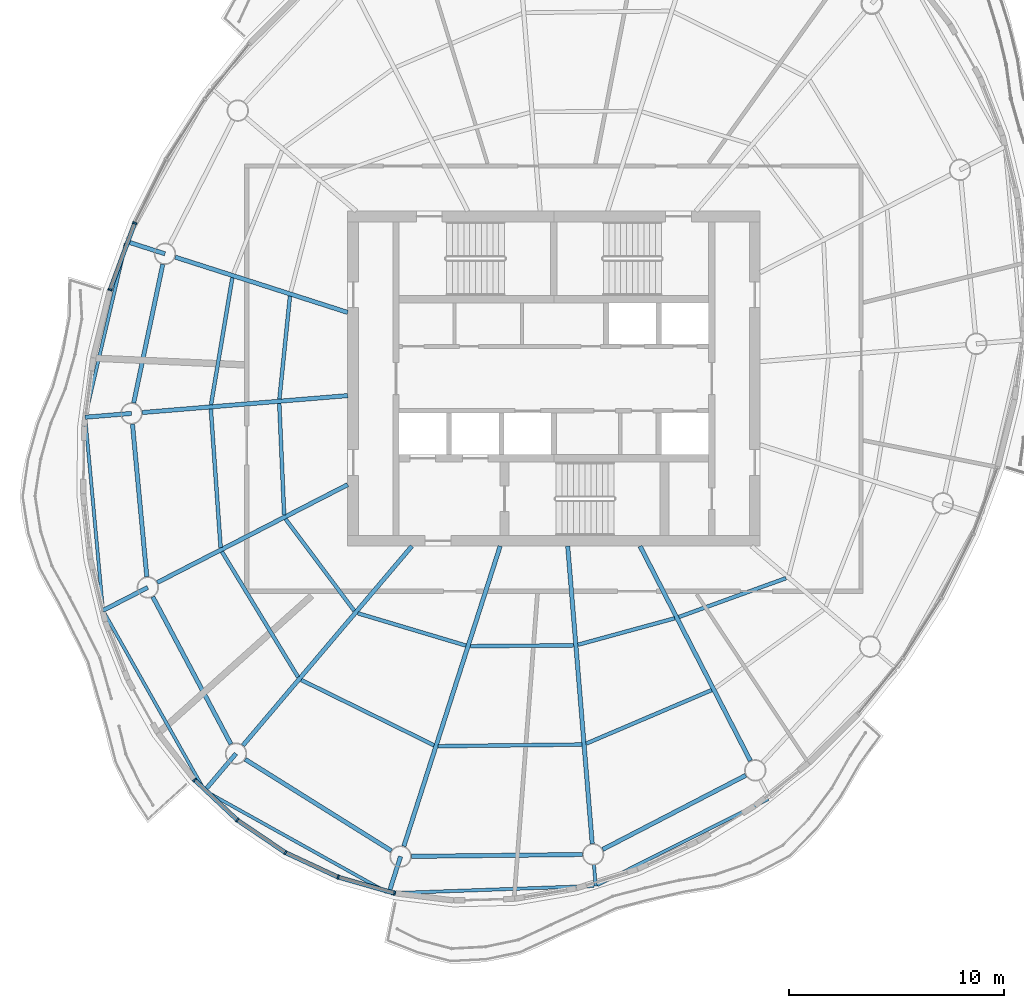
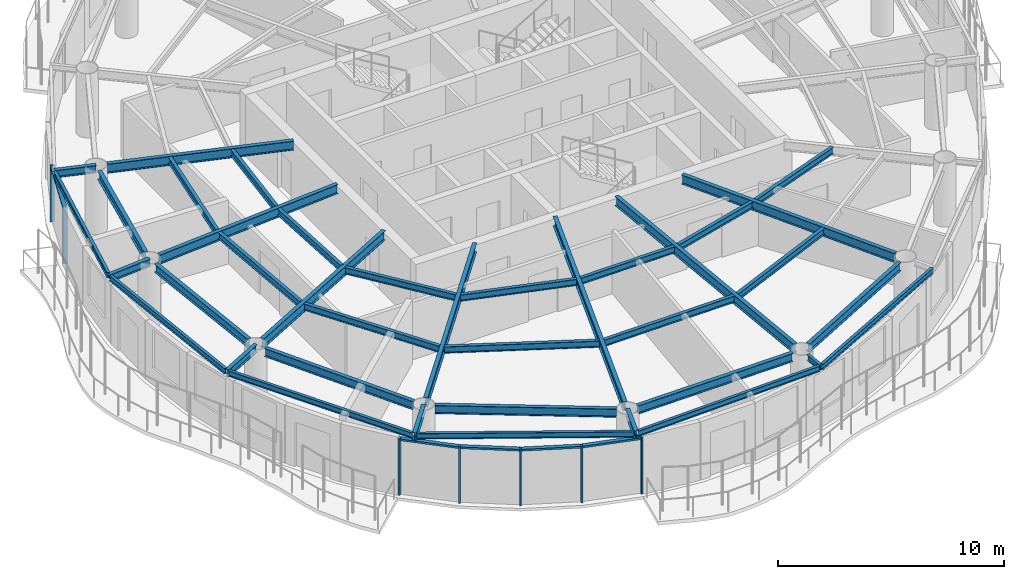
# One storey, part 2 of 13: 38 beams, 12 members, 5 elements without a shape of their own.
"""IFC4 building model written with IfcOpenShell, lengths in metres."""

from ifc_helpers import new_model, si_unit, direction, frame, origin, origin_2d, place, context, subcontext, project, spatial, rectangle, i_section, extrude, material, material_profile, profile_set, type_object, element, aggregate, save


model = new_model("IFC4")

# Units and contexts
model_context = context("Model", 3, precision=1e-05, world=origin(), true_north=direction((0.0, 1.0)))
body_context = subcontext(model_context, "Body", "Model", "MODEL_VIEW")
ifc_project = project(units=[si_unit("LENGTHUNIT", "METRE"), si_unit("AREAUNIT", "SQUARE_METRE"), si_unit("VOLUMEUNIT", "CUBIC_METRE"), si_unit("PLANEANGLEUNIT", "RADIAN"), si_unit("MASSUNIT", "GRAM", prefix="KILO")], contexts=[model_context])

# Site, building, storey
site_placement = place(None, origin())
site = spatial("IfcSite", under=ifc_project, at=site_placement, CompositionType="ELEMENT")
building_placement = place(site_placement, origin())
building = spatial("IfcBuilding", under=site, at=building_placement, Name="Vermilion Reach Broadcast Tower", CompositionType="ELEMENT")
storey_placement = place(building_placement, frame((0.0, 0.0, 275.699951171875)))
storey = spatial("IfcBuildingStorey", under=building, at=storey_placement, Name="L68", CompositionType="ELEMENT", Elevation=275.699951171875)

# Beams
ifc_material_1 = material(Name="Steel S355J2", Category="steel")
ifc_material_profile_1 = material_profile(ifc_material_1, i_section(OverallWidth=0.14990234375, OverallDepth=0.300048828125, WebThickness=0.006591796875, FlangeThickness=0.009033203125, at=origin_2d()), Name="S355J2 HN 300x150x6.5x9")
ifc_profile_set_1 = profile_set([ifc_material_profile_1], Name="Steel S355J2")
beam_type_1 = type_object("IfcBeamType", Name="EB5 HN 300x150x6.5x9", PredefinedType="BEAM", material=ifc_profile_set_1)
beam_1_placement = place(storey_placement, frame((-25.9306640625, 6.290283203125, 3.300048828125), z_axis=(-0.227615436944, -0.973751104166, 0.0), x_axis=(0.973751104166, -0.227615436944, 0.0)))
element("IfcBeam", 1, at=beam_1_placement, inside=storey, type_object=beam_type_1, Name="Edge beam EB5-05", PredefinedType="BEAM", context=body_context, shape_type="SweptSolid", body=[
    extrude(i_section(OverallWidth=0.14990234375, OverallDepth=0.300048828125, WebThickness=0.006591796875, FlangeThickness=0.009033203125, at=origin_2d()), origin(), (0.0, 0.0, 1.0), 8.201171875),
])
beam_2_placement = place(storey_placement, frame((-27.81201171875, -1.8974609375, 3.300048828125), z_axis=(0.091727876925, -0.995784111439, 0.0), x_axis=(0.995784111439, 0.091727876925, 0.0)))
element("IfcBeam", 2, at=beam_2_placement, inside=storey, type_object=beam_type_1, Name="Edge beam EB5-06", PredefinedType="BEAM", context=body_context, shape_type="SweptSolid", body=[
    extrude(i_section(OverallWidth=0.14990234375, OverallDepth=0.300048828125, WebThickness=0.006591796875, FlangeThickness=0.009033203125, at=origin_2d()), origin(), (0.0, 0.0, 1.0), 8.82568359375),
])
beam_3_placement = place(storey_placement, frame((-26.943359375, -10.88037109375, 3.300048828125), z_axis=(0.49123753471, -0.871025650881, 0.0), x_axis=(0.871025650881, 0.49123753471, 0.0)))
element("IfcBeam", 3, at=beam_3_placement, inside=storey, type_object=beam_type_1, Name="Edge beam EB5-07", PredefinedType="BEAM", context=body_context, shape_type="SweptSolid", body=[
    extrude(i_section(OverallWidth=0.14990234375, OverallDepth=0.300048828125, WebThickness=0.006591796875, FlangeThickness=0.009033203125, at=origin_2d()), origin(), (0.0, 0.0, 1.0), 9.423828125),
])
beam_4_placement = place(storey_placement, frame((-22.172607421875, -19.2314453125, 3.300048828125), z_axis=(0.873426619931, -0.486955788132, 0.0), x_axis=(0.486955788132, 0.873426619931, 0.0)))
element("IfcBeam", 4, at=beam_4_placement, inside=storey, type_object=beam_type_1, Name="Edge beam EB5-08", PredefinedType="BEAM", context=body_context, shape_type="SweptSolid", body=[
    extrude(i_section(OverallWidth=0.14990234375, OverallDepth=0.300048828125, WebThickness=0.006591796875, FlangeThickness=0.009033203125, at=origin_2d()), origin(), (0.0, 0.0, 1.0), 9.611572265625),
])
beam_5_placement = place(storey_placement, frame((-13.582275390625, -23.95751953125, 3.300048828125), z_axis=(0.999363643199, 0.035669435819, 0.0), x_axis=(-0.035669435819, 0.999363643199, 0.0)))
element("IfcBeam", 5, at=beam_5_placement, inside=storey, type_object=beam_type_1, Name="Edge beam EB5-09", PredefinedType="BEAM", context=body_context, shape_type="SweptSolid", body=[
    extrude(i_section(OverallWidth=0.14990234375, OverallDepth=0.300048828125, WebThickness=0.006591796875, FlangeThickness=0.009033203125, at=origin_2d()), origin(), (0.0, 0.0, 1.0), 9.459228515625),
])
beam_6_placement = place(storey_placement, frame((-3.98193359375, -23.5810546875, 3.300048828125), z_axis=(0.893246278175, 0.449567666238, 0.0), x_axis=(-0.449567666238, 0.893246278175, 0.0)))
element("IfcBeam", 6, at=beam_6_placement, inside=storey, type_object=beam_type_1, Name="Edge beam EB5-10", PredefinedType="BEAM", context=body_context, shape_type="SweptSolid", body=[
    extrude(i_section(OverallWidth=0.14990234375, OverallDepth=0.300048828125, WebThickness=0.006591796875, FlangeThickness=0.009033203125, at=origin_2d()), origin(), (0.0, 0.0, 1.0), 8.9130859375),
])
ifc_material_2 = material(Name="Steel S355J2", Category="steel")
ifc_material_profile_2 = material_profile(ifc_material_2, i_section(OverallWidth=0.199951171875, OverallDepth=0.5, WebThickness=0.010009765625, FlangeThickness=0.01611328125, at=origin_2d()), Name="S355J2 HN 500x200x10x16")
ifc_profile_set_2 = profile_set([ifc_material_profile_2], Name="Steel S355J2")
beam_type_2 = type_object("IfcBeamType", Name="G5 HN 500x200x10x16", PredefinedType="BEAM", material=ifc_profile_set_2)
beam_7_placement = place(storey_placement, frame((-15.60009765625, 3.080322265625, 3.199951171875), z_axis=(-0.952178453449, 0.305542456604, 0.0), x_axis=(-0.305542456604, -0.952178453449, 0.0)))
element("IfcBeam", 7, at=beam_7_placement, inside=storey, type_object=beam_type_2, Name="Girder G5-05", PredefinedType="BEAM", context=body_context, shape_type="SweptSolid", body=[
    extrude(i_section(OverallWidth=0.199951171875, OverallDepth=0.5, WebThickness=0.010009765625, FlangeThickness=0.01611328125, at=origin_2d()), origin(), (0.0, 0.0, 1.0), 8.43310546875),
])
beam_8_placement = place(storey_placement, frame((-15.60009765625, -0.791015625, 3.199951171875), z_axis=(-0.996624410075, -0.082096195058, 0.0), x_axis=(0.082096195058, -0.996624410075, 0.0)))
element("IfcBeam", 8, at=beam_8_placement, inside=storey, type_object=beam_type_2, Name="Girder G5-06", PredefinedType="BEAM", context=body_context, shape_type="SweptSolid", body=[
    extrude(i_section(OverallWidth=0.199951171875, OverallDepth=0.5, WebThickness=0.010009765625, FlangeThickness=0.01611328125, at=origin_2d()), origin(), (0.0, 0.0, 1.0), 9.599609375),
])
beam_9_placement = place(storey_placement, frame((-15.60009765625, -4.935791015625, 3.199951171875), z_axis=(-0.889332502449, -0.457261085254, 0.0), x_axis=(0.457261085254, -0.889332502449, 0.0)))
element("IfcBeam", 9, at=beam_9_placement, inside=storey, type_object=beam_type_2, Name="Girder G5-07", PredefinedType="BEAM", context=body_context, shape_type="SweptSolid", body=[
    extrude(i_section(OverallWidth=0.199951171875, OverallDepth=0.5, WebThickness=0.010009765625, FlangeThickness=0.01611328125, at=origin_2d()), origin(), (0.0, 0.0, 1.0), 9.96337890625),
])
beam_10_placement = place(storey_placement, frame((-12.612548828125, -7.800048828125, 3.199951171875), z_axis=(-0.646658335602, -0.762779782766, 0.0), x_axis=(0.762779782766, -0.646658335602, 0.0)))
element("IfcBeam", 10, at=beam_10_placement, inside=storey, type_object=beam_type_2, Name="Girder G5-08", PredefinedType="BEAM", context=body_context, shape_type="SweptSolid", body=[
    extrude(i_section(OverallWidth=0.199951171875, OverallDepth=0.5, WebThickness=0.010009765625, FlangeThickness=0.01611328125, at=origin_2d()), origin(), (0.0, 0.0, 1.0), 12.16064453125),
])
beam_11_placement = place(storey_placement, frame((-8.502685546875, -7.800048828125, 3.199951171875), z_axis=(-0.305545401295, -0.952177508528, 0.0), x_axis=(0.952177508528, -0.305545401295, 0.0)))
element("IfcBeam", 11, at=beam_11_placement, inside=storey, type_object=beam_type_2, Name="Girder G5-09", PredefinedType="BEAM", context=body_context, shape_type="SweptSolid", body=[
    extrude(i_section(OverallWidth=0.199951171875, OverallDepth=0.5, WebThickness=0.010009765625, FlangeThickness=0.01611328125, at=origin_2d()), origin(), (0.0, 0.0, 1.0), 14.672607421875),
])
beam_12_placement = place(storey_placement, frame((-5.357421875, -7.800048828125, 3.199951171875), z_axis=(0.082123744247, -0.996622140347, 0.0), x_axis=(0.996622140347, 0.082123744247, 0.0)))
element("IfcBeam", 12, at=beam_12_placement, inside=storey, type_object=beam_type_2, Name="Girder G5-10", PredefinedType="BEAM", context=body_context, shape_type="SweptSolid", body=[
    extrude(i_section(OverallWidth=0.199951171875, OverallDepth=0.5, WebThickness=0.010009765625, FlangeThickness=0.01611328125, at=origin_2d()), origin(), (0.0, 0.0, 1.0), 13.89794921875),
])
beam_13_placement = place(storey_placement, frame((-1.989501953125, -7.800048828125, 3.199951171875), z_axis=(0.457258168112, -0.889334002327, 0.0), x_axis=(0.889334002327, 0.457258168112, 0.0)))
element("IfcBeam", 13, at=beam_13_placement, inside=storey, type_object=beam_type_2, Name="Girder G5-11", PredefinedType="BEAM", context=body_context, shape_type="SweptSolid", body=[
    extrude(i_section(OverallWidth=0.199951171875, OverallDepth=0.5, WebThickness=0.010009765625, FlangeThickness=0.01611328125, at=origin_2d()), origin(), (0.0, 0.0, 1.0), 11.236328125),
])
ifc_material_3 = material(Name="Steel S355J2", Category="steel")
ifc_material_profile_3 = material_profile(ifc_material_3, i_section(OverallWidth=0.199951171875, OverallDepth=0.39990234375, WebThickness=0.008056640625, FlangeThickness=0.012939453125, at=origin_2d()), Name="S355J2 HN 400x200x8x13")
ifc_profile_set_3 = profile_set([ifc_material_profile_3], Name="Steel S355J2")
beam_type_3 = type_object("IfcBeamType", Name="GC5 HN 400x200x8x13", PredefinedType="BEAM", material=ifc_profile_set_3)
beam_14_placement = place(storey_placement, frame((-24.10595703125, 5.809814453125, 3.25), z_axis=(-0.952196201067, 0.305487143223, 0.0), x_axis=(-0.305487143223, -0.952196201067, 0.0)))
element("IfcBeam", 14, at=beam_14_placement, inside=storey, type_object=beam_type_3, Name="Cantilever girder GC5-05", PredefinedType="BEAM", context=body_context, shape_type="SweptSolid", body=[
    extrude(i_section(OverallWidth=0.199951171875, OverallDepth=0.39990234375, WebThickness=0.008056640625, FlangeThickness=0.012939453125, at=origin_2d()), origin(), (0.0, 0.0, 1.0), 1.892578125),
])
beam_15_placement = place(storey_placement, frame((-25.665771484375, -1.620361328125, 3.25), z_axis=(-0.996627016966, -0.082064542002, 0.0), x_axis=(0.082064542002, -0.996627016966, 0.0)))
element("IfcBeam", 15, at=beam_15_placement, inside=storey, type_object=beam_type_3, Name="Cantilever girder GC5-06", PredefinedType="BEAM", context=body_context, shape_type="SweptSolid", body=[
    extrude(i_section(OverallWidth=0.199951171875, OverallDepth=0.39990234375, WebThickness=0.008056640625, FlangeThickness=0.012939453125, at=origin_2d()), origin(), (0.0, 0.0, 1.0), 2.162841796875),
])
beam_16_placement = place(storey_placement, frame((-24.905517578125, -9.72021484375, 3.25), z_axis=(-0.889334948118, -0.457256328612, 0.0), x_axis=(0.457256328612, -0.889334948118, 0.0)))
element("IfcBeam", 16, at=beam_16_placement, inside=storey, type_object=beam_type_3, Name="Cantilever girder GC5-07", PredefinedType="BEAM", context=body_context, shape_type="SweptSolid", body=[
    extrude(i_section(OverallWidth=0.199951171875, OverallDepth=0.39990234375, WebThickness=0.008056640625, FlangeThickness=0.012939453125, at=origin_2d()), origin(), (0.0, 0.0, 1.0), 2.3466796875),
])
beam_17_placement = place(storey_placement, frame((-20.799560546875, -17.457275390625, 3.25), z_axis=(-0.646672958493, -0.762767385744, 0.0), x_axis=(0.762767385744, -0.646672958493, 0.0)))
element("IfcBeam", 17, at=beam_17_placement, inside=storey, type_object=beam_type_3, Name="Cantilever girder GC5-08", PredefinedType="BEAM", context=body_context, shape_type="SweptSolid", body=[
    extrude(i_section(OverallWidth=0.199951171875, OverallDepth=0.39990234375, WebThickness=0.008056640625, FlangeThickness=0.012939453125, at=origin_2d()), origin(), (0.0, 0.0, 1.0), 2.2607421875),
])
beam_18_placement = place(storey_placement, frame((-13.138427734375, -22.2470703125, 3.25), z_axis=(-0.30550874744, -0.952189269651, 0.0), x_axis=(0.952189269651, -0.30550874744, 0.0)))
element("IfcBeam", 18, at=beam_18_placement, inside=storey, type_object=beam_type_3, Name="Cantilever girder GC5-09", PredefinedType="BEAM", context=body_context, shape_type="SweptSolid", body=[
    extrude(i_section(OverallWidth=0.199951171875, OverallDepth=0.39990234375, WebThickness=0.008056640625, FlangeThickness=0.012939453125, at=origin_2d()), origin(), (0.0, 0.0, 1.0), 1.800537109375),
])
ifc_material_4 = material(Name="Steel S355J2", Category="steel")
ifc_material_profile_4 = material_profile(ifc_material_4, i_section(OverallWidth=0.14990234375, OverallDepth=0.300048828125, WebThickness=0.006591796875, FlangeThickness=0.009033203125, at=origin_2d()), Name="S355J2 HN 300x150x6.5x9")
ifc_profile_set_4 = profile_set([ifc_material_profile_4], Name="Steel S355J2")
beam_type_4 = type_object("IfcBeamType", Name="GS5 HN 300x150x6.5x9", PredefinedType="BEAM", material=ifc_profile_set_4)
beam_19_placement = place(storey_placement, frame((-4.13623046875, -22.620849609375, 3.300048828125), z_axis=(0.082035152054, -0.996629436565, 0.0), x_axis=(0.996629436565, 0.082035152054, 0.0)))
element("IfcBeam", 19, at=beam_19_placement, inside=storey, type_object=beam_type_4, Name="Cantilever stub GS5-10", PredefinedType="BEAM", context=body_context, shape_type="SweptSolid", body=[
    extrude(i_section(OverallWidth=0.14990234375, OverallDepth=0.300048828125, WebThickness=0.006591796875, FlangeThickness=0.009033203125, at=origin_2d()), origin(), (0.0, 0.0, 1.0), 1.0),
])
ifc_material_5 = material(Name="Steel S355J2", Category="steel")
ifc_material_profile_5 = material_profile(ifc_material_5, i_section(OverallWidth=0.199951171875, OverallDepth=0.449951171875, WebThickness=0.009033203125, FlangeThickness=0.013916015625, at=origin_2d()), Name="S355J2 HN 450x200x9x14")
ifc_profile_set_5 = profile_set([ifc_material_profile_5], Name="Steel S355J2")
beam_type_5 = type_object("IfcBeamType", Name="RB5 HN 450x200x9x14", PredefinedType="BEAM", material=ifc_profile_set_5)
beam_20_placement = place(storey_placement, frame((-24.208740234375, 5.3203125, 3.22509765625), z_axis=(-0.205444869285, -0.978668690459, 0.0), x_axis=(0.978668690459, -0.205444869285, 0.0)))
element("IfcBeam", 20, at=beam_20_placement, inside=storey, type_object=beam_type_5, Name="Ring beam RB5-05", PredefinedType="BEAM", context=body_context, shape_type="SweptSolid", body=[
    extrude(i_section(OverallWidth=0.199951171875, OverallDepth=0.449951171875, WebThickness=0.009033203125, FlangeThickness=0.013916015625, at=origin_2d()), origin(), (0.0, 0.0, 1.0), 6.591796875),
])
beam_21_placement = place(storey_placement, frame((-25.618896484375, -2.1181640625, 3.22509765625), z_axis=(0.093441399272, -0.995624781181, 0.0), x_axis=(0.995624781181, 0.093441399272, 0.0)))
element("IfcBeam", 21, at=beam_21_placement, inside=storey, type_object=beam_type_5, Name="Ring beam RB5-06", PredefinedType="BEAM", context=body_context, shape_type="SweptSolid", body=[
    extrude(i_section(OverallWidth=0.199951171875, OverallDepth=0.449951171875, WebThickness=0.009033203125, FlangeThickness=0.013916015625, at=origin_2d()), origin(), (0.0, 0.0, 1.0), 7.135498046875),
])
beam_22_placement = place(storey_placement, frame((-24.671142578125, -10.161865234375, 3.22509765625), z_axis=(0.468767917375, -0.883321368269, 0.0), x_axis=(0.883321368269, 0.468767917375, 0.0)))
element("IfcBeam", 22, at=beam_22_placement, inside=storey, type_object=beam_type_5, Name="Ring beam RB5-07", PredefinedType="BEAM", context=body_context, shape_type="SweptSolid", body=[
    extrude(i_section(OverallWidth=0.199951171875, OverallDepth=0.449951171875, WebThickness=0.009033203125, FlangeThickness=0.013916015625, at=origin_2d()), origin(), (0.0, 0.0, 1.0), 7.759033203125),
])
beam_23_placement = place(storey_placement, frame((-20.375732421875, -17.722412109375, 3.22509765625), z_axis=(0.847914653245, -0.530132757724, 0.0), x_axis=(0.530132757724, 0.847914653245, 0.0)))
element("IfcBeam", 23, at=beam_23_placement, inside=storey, type_object=beam_type_5, Name="Ring beam RB5-08", PredefinedType="BEAM", context=body_context, shape_type="SweptSolid", body=[
    extrude(i_section(OverallWidth=0.199951171875, OverallDepth=0.449951171875, WebThickness=0.009033203125, FlangeThickness=0.013916015625, at=origin_2d()), origin(), (0.0, 0.0, 1.0), 8.035400390625),
])
beam_24_placement = place(storey_placement, frame((-12.638427734375, -22.24169921875, 3.22509765625), z_axis=(0.999940445231, 0.010913569149, 0.0), x_axis=(-0.010913569149, 0.999940445231, 0.0)))
element("IfcBeam", 24, at=beam_24_placement, inside=storey, type_object=beam_type_5, Name="Ring beam RB5-09", PredefinedType="BEAM", context=body_context, shape_type="SweptSolid", body=[
    extrude(i_section(OverallWidth=0.199951171875, OverallDepth=0.449951171875, WebThickness=0.009033203125, FlangeThickness=0.013916015625, at=origin_2d()), origin(), (0.0, 0.0, 1.0), 7.9638671875),
])
beam_25_placement = place(storey_placement, frame((-3.731201171875, -21.91943359375, 3.22509765625), z_axis=(0.887960248279, 0.459920207729, 0.0), x_axis=(-0.459920207729, 0.887960248279, 0.0)))
element("IfcBeam", 25, at=beam_25_placement, inside=storey, type_object=beam_type_5, Name="Ring beam RB5-10", PredefinedType="BEAM", context=body_context, shape_type="SweptSolid", body=[
    extrude(i_section(OverallWidth=0.199951171875, OverallDepth=0.449951171875, WebThickness=0.009033203125, FlangeThickness=0.013916015625, at=origin_2d()), origin(), (0.0, 0.0, 1.0), 7.5048828125),
])
ifc_material_6 = material(Name="Steel S355J2", Category="steel")
ifc_material_profile_6 = material_profile(ifc_material_6, i_section(OverallWidth=0.175048828125, OverallDepth=0.35009765625, WebThickness=0.007080078125, FlangeThickness=0.010986328125, at=origin_2d()), Name="S355J2 HN 350x175x7x11")
ifc_profile_set_6 = profile_set([ifc_material_profile_6], Name="Steel S355J2")
beam_type_6 = type_object("IfcBeamType", Name="SB5 HN 350x175x7x11", PredefinedType="BEAM", material=ifc_profile_set_6)
beam_26_placement = place(storey_placement, frame((-18.287109375, 3.837646484375, 3.275146484375), z_axis=(-0.102113775264, -0.994772726255, 0.0), x_axis=(0.994772726255, -0.102113775264, 0.0)))
element("IfcBeam", 26, at=beam_26_placement, inside=storey, type_object=beam_type_6, Name="Secondary beam SB5-05-1", PredefinedType="BEAM", context=body_context, shape_type="SweptSolid", body=[
    extrude(i_section(OverallWidth=0.175048828125, OverallDepth=0.35009765625, WebThickness=0.007080078125, FlangeThickness=0.010986328125, at=origin_2d()), origin(), (0.0, 0.0, 1.0), 4.815185546875),
])
beam_27_placement = place(storey_placement, frame((-20.969970703125, 4.698486328125, 3.275146484375), z_axis=(-0.16532337011, -0.986239414795, 0.0), x_axis=(0.986239414795, -0.16532337011, 0.0)))
element("IfcBeam", 27, at=beam_27_placement, inside=storey, type_object=beam_type_6, Name="Secondary beam SB5-05-2", PredefinedType="BEAM", context=body_context, shape_type="SweptSolid", body=[
    extrude(i_section(OverallWidth=0.175048828125, OverallDepth=0.35009765625, WebThickness=0.007080078125, FlangeThickness=0.010986328125, at=origin_2d()), origin(), (0.0, 0.0, 1.0), 5.99560546875),
])
beam_28_placement = place(storey_placement, frame((-18.78466796875, -1.153564453125, 3.275146484375), z_axis=(0.043557530017, -0.999050920413, 0.0), x_axis=(0.999050920413, 0.043557530017, 0.0)))
element("IfcBeam", 28, at=beam_28_placement, inside=storey, type_object=beam_type_6, Name="Secondary beam SB5-06-1", PredefinedType="BEAM", context=body_context, shape_type="SweptSolid", body=[
    extrude(i_section(OverallWidth=0.175048828125, OverallDepth=0.35009765625, WebThickness=0.007080078125, FlangeThickness=0.010986328125, at=origin_2d()), origin(), (0.0, 0.0, 1.0), 5.19580078125),
])
beam_29_placement = place(storey_placement, frame((-21.97119140625, -1.416259765625, 3.275146484375), z_axis=(0.070586780458, -0.997505642302, 0.0), x_axis=(0.997505642302, 0.070586780458, 0.0)))
element("IfcBeam", 29, at=beam_29_placement, inside=storey, type_object=beam_type_6, Name="Secondary beam SB5-06-2", PredefinedType="BEAM", context=body_context, shape_type="SweptSolid", body=[
    extrude(i_section(OverallWidth=0.175048828125, OverallDepth=0.35009765625, WebThickness=0.007080078125, FlangeThickness=0.010986328125, at=origin_2d()), origin(), (0.0, 0.0, 1.0), 6.46435546875),
])
beam_30_placement = place(storey_placement, frame((-18.492919921875, -6.53564453125, 3.275146484375), z_axis=(0.599055582645, -0.800707442767, 0.0), x_axis=(0.800707442767, 0.599055582645, 0.0)))
element("IfcBeam", 30, at=beam_30_placement, inside=storey, type_object=beam_type_6, Name="Secondary beam SB5-07-1", PredefinedType="BEAM", context=body_context, shape_type="SweptSolid", body=[
    extrude(i_section(OverallWidth=0.175048828125, OverallDepth=0.35009765625, WebThickness=0.007080078125, FlangeThickness=0.010986328125, at=origin_2d()), origin(), (0.0, 0.0, 1.0), 5.337890625),
])
beam_31_placement = place(storey_placement, frame((-21.455078125, -8.058837890625, 3.275146484375), z_axis=(0.519272962556, -0.854608442714, 0.0), x_axis=(0.854608442714, 0.519272962556, 0.0)))
element("IfcBeam", 31, at=beam_31_placement, inside=storey, type_object=beam_type_6, Name="Secondary beam SB5-07-2", PredefinedType="BEAM", context=body_context, shape_type="SweptSolid", body=[
    extrude(i_section(OverallWidth=0.175048828125, OverallDepth=0.35009765625, WebThickness=0.007080078125, FlangeThickness=0.010986328125, at=origin_2d()), origin(), (0.0, 0.0, 1.0), 6.82763671875),
])
beam_32_placement = place(storey_placement, frame((-15.129150390625, -10.92333984375, 3.275146484375), z_axis=(0.958124906971, -0.286350593925, 0.0), x_axis=(0.286350593925, 0.958124906971, 0.0)))
element("IfcBeam", 32, at=beam_32_placement, inside=storey, type_object=beam_type_6, Name="Secondary beam SB5-08-1", PredefinedType="BEAM", context=body_context, shape_type="SweptSolid", body=[
    extrude(i_section(OverallWidth=0.175048828125, OverallDepth=0.35009765625, WebThickness=0.007080078125, FlangeThickness=0.010986328125, at=origin_2d()), origin(), (0.0, 0.0, 1.0), 5.25634765625),
])
beam_33_placement = place(storey_placement, frame((-17.762451171875, -14.029541015625, 3.275146484375), z_axis=(0.897335928087, -0.441348198325, 0.0), x_axis=(0.441348198325, 0.897335928087, 0.0)))
element("IfcBeam", 33, at=beam_33_placement, inside=storey, type_object=beam_type_6, Name="Secondary beam SB5-08-2", PredefinedType="BEAM", context=body_context, shape_type="SweptSolid", body=[
    extrude(i_section(OverallWidth=0.175048828125, OverallDepth=0.35009765625, WebThickness=0.007080078125, FlangeThickness=0.010986328125, at=origin_2d()), origin(), (0.0, 0.0, 1.0), 6.887451171875),
])
beam_34_placement = place(storey_placement, frame((-9.891845703125, -12.4560546875, 3.275146484375), z_axis=(0.999968312294, 0.007960804474, 0.0), x_axis=(-0.007960804474, 0.999968312294, 0.0)))
element("IfcBeam", 34, at=beam_34_placement, inside=storey, type_object=beam_type_6, Name="Secondary beam SB5-09-1", PredefinedType="BEAM", context=body_context, shape_type="SweptSolid", body=[
    extrude(i_section(OverallWidth=0.175048828125, OverallDepth=0.35009765625, WebThickness=0.007080078125, FlangeThickness=0.010986328125, at=origin_2d()), origin(), (0.0, 0.0, 1.0), 4.81494140625),
])
beam_35_placement = place(storey_placement, frame((-11.385986328125, -17.11279296875, 3.275146484375), z_axis=(0.999932654133, 0.011605481368, 0.0), x_axis=(-0.011605481368, 0.999932654133, 0.0)))
element("IfcBeam", 35, at=beam_35_placement, inside=storey, type_object=beam_type_6, Name="Secondary beam SB5-09-2", PredefinedType="BEAM", context=body_context, shape_type="SweptSolid", body=[
    extrude(i_section(OverallWidth=0.175048828125, OverallDepth=0.35009765625, WebThickness=0.007080078125, FlangeThickness=0.010986328125, at=origin_2d()), origin(), (0.0, 0.0, 1.0), 6.689697265625),
])
beam_36_placement = place(storey_placement, frame((-4.87890625, -12.39013671875, 3.275146484375), z_axis=(0.964547496851, 0.263909314573, 0.0), x_axis=(-0.263909314573, 0.964547496851, 0.0)))
element("IfcBeam", 36, at=beam_36_placement, inside=storey, type_object=beam_type_6, Name="Secondary beam SB5-10-1", PredefinedType="BEAM", context=body_context, shape_type="SweptSolid", body=[
    extrude(i_section(OverallWidth=0.175048828125, OverallDepth=0.35009765625, WebThickness=0.007080078125, FlangeThickness=0.010986328125, at=origin_2d()), origin(), (0.0, 0.0, 1.0), 4.6689453125),
])
beam_37_placement = place(storey_placement, frame((-4.49951171875, -16.99267578125, 3.275146484375), z_axis=(0.919880986172, 0.392197617637, 0.0), x_axis=(-0.392197617637, 0.919880986172, 0.0)))
element("IfcBeam", 37, at=beam_37_placement, inside=storey, type_object=beam_type_6, Name="Secondary beam SB5-10-2", PredefinedType="BEAM", context=body_context, shape_type="SweptSolid", body=[
    extrude(i_section(OverallWidth=0.175048828125, OverallDepth=0.35009765625, WebThickness=0.007080078125, FlangeThickness=0.010986328125, at=origin_2d()), origin(), (0.0, 0.0, 1.0), 6.351806640625),
])
beam_38_placement = place(storey_placement, frame((-0.18212890625, -11.0966796875, 3.275146484375), z_axis=(0.940220108875, 0.340567389613, 0.0), x_axis=(-0.340567389613, 0.940220108875, 0.0)))
element("IfcBeam", 38, at=beam_38_placement, inside=storey, type_object=beam_type_6, Name="Secondary beam SB5-11-1", PredefinedType="BEAM", context=body_context, shape_type="SweptSolid", body=[
    extrude(i_section(OverallWidth=0.175048828125, OverallDepth=0.35009765625, WebThickness=0.007080078125, FlangeThickness=0.010986328125, at=origin_2d()), origin(), (0.0, 0.0, 1.0), 5.303466796875),
])

# Curtain wall, members
ifc_material_7 = material(Name="Low-e laminated clear glass in aluminium frame", Category="aluminium")
curtain_wall_type = type_object("IfcCurtainWallType", Name="Slot curtain wall", PredefinedType="NOTDEFINED", material=ifc_material_7)
placement = place(storey_placement, origin())
curtain_wall_1 = element("IfcCurtainWall", 39, at=placement, inside=storey, type_object=curtain_wall_type, Name="Slot curtain wall L68 13", PredefinedType="NOTDEFINED")
ifc_material_8 = material(Name="Anodised aluminium", Category="aluminium")
ifc_material_profile_7 = material_profile(ifc_material_8, rectangle(XDim=0.199951171875, YDim=0.080078125, at=origin_2d()), Name="Slot mullion 80 x 200")
ifc_profile_set_7 = profile_set([ifc_material_profile_7], Name="Anodised aluminium")
member_type_1 = type_object("IfcMemberType", Name="Slot mullion 80 x 200", PredefinedType="MULLION", material=ifc_profile_set_7)
member_1_placement = place(storey_placement, frame((-25.51513671875, 7.23828125, 0.0), z_axis=(0.0, 0.0, 1.0), x_axis=(0.918072685733, -0.396412088251, 0.0)))
member_1 = element("IfcMember", 40, at=member_1_placement, type_object=member_type_1, Name="Slot mullion L68 13", PredefinedType="MULLION", context=body_context, shape_type="SweptSolid", body=[
    extrude(rectangle(XDim=0.199951171875, YDim=0.080078125, at=origin_2d()), origin(), (0.0, 0.0, 1.0), 3.050048828125),
])
member_2_placement = place(storey_placement, frame((-26.658935546875, 4.139892578125, 0.0), z_axis=(0.0, 0.0, 1.0), x_axis=(0.955695349104, -0.294357605134, 0.0)))
member_2 = element("IfcMember", 41, at=member_2_placement, type_object=member_type_1, Name="Slot mullion L68 14", PredefinedType="MULLION", context=body_context, shape_type="SweptSolid", body=[
    extrude(rectangle(XDim=0.199951171875, YDim=0.080078125, at=origin_2d()), origin(), (0.0, 0.0, 1.0), 3.050048828125),
])

# Curtain wall, member
curtain_wall_2 = element("IfcCurtainWall", 42, at=placement, inside=storey, type_object=curtain_wall_type, Name="Slot curtain wall L68 22", PredefinedType="NOTDEFINED")
member_3_placement = place(storey_placement, frame((-22.72607421875, -18.683837890625, 0.0), z_axis=(0.0, 0.0, 1.0), x_axis=(0.738378708963, 0.674386300387, 0.0)))
member_3 = element("IfcMember", 43, at=member_3_placement, type_object=member_type_1, Name="Slot mullion L68 22", PredefinedType="MULLION", context=body_context, shape_type="SweptSolid", body=[
    extrude(rectangle(XDim=0.199951171875, YDim=0.080078125, at=origin_2d()), origin(), (0.0, 0.0, 1.0), 3.050048828125),
])

curtain_wall_3 = element("IfcCurtainWall", 44, at=placement, inside=storey, type_object=curtain_wall_type, Name="Slot curtain wall L68 23", PredefinedType="NOTDEFINED")
member_4_placement = place(storey_placement, frame((-20.73583984375, -20.55078125, 0.0), z_axis=(0.0, 0.0, 1.0), x_axis=(0.62427385943, 0.781205573734, 0.0)))
member_4 = element("IfcMember", 45, at=member_4_placement, type_object=member_type_1, Name="Slot mullion L68 23", PredefinedType="MULLION", context=body_context, shape_type="SweptSolid", body=[
    extrude(rectangle(XDim=0.199951171875, YDim=0.080078125, at=origin_2d()), origin(), (0.0, 0.0, 1.0), 3.050048828125),
])

curtain_wall_4 = element("IfcCurtainWall", 46, at=placement, inside=storey, type_object=curtain_wall_type, Name="Slot curtain wall L68 24", PredefinedType="NOTDEFINED")
member_5_placement = place(storey_placement, frame((-18.4951171875, -22.0673828125, 0.0), z_axis=(0.0, 0.0, 1.0), x_axis=(0.492727401585, 0.870183720675, 0.0)))
member_5 = element("IfcMember", 47, at=member_5_placement, type_object=member_type_1, Name="Slot mullion L68 24", PredefinedType="MULLION", context=body_context, shape_type="SweptSolid", body=[
    extrude(rectangle(XDim=0.199951171875, YDim=0.080078125, at=origin_2d()), origin(), (0.0, 0.0, 1.0), 3.050048828125),
])

# Curtain wall, members
curtain_wall_5 = element("IfcCurtainWall", 48, at=placement, inside=storey, type_object=curtain_wall_type, Name="Slot curtain wall L68 25", PredefinedType="NOTDEFINED")
member_6_placement = place(storey_placement, frame((-16.042236328125, -23.20849609375, 0.0), z_axis=(0.0, 0.0, 1.0), x_axis=(0.348753488425, 0.937214492158, 0.0)))
member_6 = element("IfcMember", 49, at=member_6_placement, type_object=member_type_1, Name="Slot mullion L68 25", PredefinedType="MULLION", context=body_context, shape_type="SweptSolid", body=[
    extrude(rectangle(XDim=0.199951171875, YDim=0.080078125, at=origin_2d()), origin(), (0.0, 0.0, 1.0), 3.050048828125),
])
member_7_placement = place(storey_placement, frame((-13.417236328125, -23.954833984375, 0.0), z_axis=(0.0, 0.0, 1.0), x_axis=(0.198453088744, 0.98011038744, 0.0)))
member_7 = element("IfcMember", 50, at=member_7_placement, type_object=member_type_1, Name="Slot mullion L68 26", PredefinedType="MULLION", context=body_context, shape_type="SweptSolid", body=[
    extrude(rectangle(XDim=0.199951171875, YDim=0.080078125, at=origin_2d()), origin(), (0.0, 0.0, 1.0), 3.050048828125),
])

# Member
ifc_material_9 = material(Name="Anodised aluminium", Category="aluminium")
ifc_material_profile_8 = material_profile(ifc_material_9, rectangle(XDim=0.199951171875, YDim=0.10009765625, at=origin_2d()), Name="Slot transom 200 x 100")
ifc_profile_set_8 = profile_set([ifc_material_profile_8], Name="Anodised aluminium")
member_type_2 = type_object("IfcMemberType", Name="Slot transom 200 x 100", PredefinedType="USERDEFINED", material=ifc_profile_set_8)
member_8_placement = place(storey_placement, frame((-25.529052734375, 7.20068359375, 3.0), z_axis=(-0.346295103282, -0.938125632015, 0.0), x_axis=(0.938125632015, -0.346295103282, 0.0)))
member_8 = element("IfcMember", 51, at=member_8_placement, type_object=member_type_2, Name="Slot transom L68 13.1", ObjectType="TRANSOM", PredefinedType="USERDEFINED", context=body_context, shape_type="SweptSolid", body=[
    extrude(rectangle(XDim=0.199951171875, YDim=0.10009765625, at=origin_2d()), origin(), (0.0, 0.0, 1.0), 3.22265625),
])

aggregate(curtain_wall_1, [member_1, member_2, member_8])

member_9_placement = place(storey_placement, frame((-22.697021484375, -18.711181640625, 3.0), z_axis=(0.729370486035, -0.684118918099, 0.0), x_axis=(0.684118918099, 0.729370486035, 0.0)))
member_9 = element("IfcMember", 52, at=member_9_placement, type_object=member_type_2, Name="Slot transom L68 22.1", ObjectType="TRANSOM", PredefinedType="USERDEFINED", context=body_context, shape_type="SweptSolid", body=[
    extrude(rectangle(XDim=0.199951171875, YDim=0.10009765625, at=origin_2d()), origin(), (0.0, 0.0, 1.0), 2.64892578125),
])

aggregate(curtain_wall_2, [member_3, member_9])

member_10_placement = place(storey_placement, frame((-20.70263671875, -20.5732421875, 3.0), z_axis=(0.828138690629, -0.560523245802, 0.0), x_axis=(0.560523245802, 0.828138690629, 0.0)))
member_10 = element("IfcMember", 53, at=member_10_placement, type_object=member_type_2, Name="Slot transom L68 23.1", ObjectType="TRANSOM", PredefinedType="USERDEFINED", context=body_context, shape_type="SweptSolid", body=[
    extrude(rectangle(XDim=0.199951171875, YDim=0.10009765625, at=origin_2d()), origin(), (0.0, 0.0, 1.0), 2.62548828125),
])

aggregate(curtain_wall_3, [member_4, member_10])

member_11_placement = place(storey_placement, frame((-18.458984375, -22.084228515625, 3.0), z_axis=(0.906697957267, -0.421780528578, 0.0), x_axis=(0.421780528578, 0.906697957267, 0.0)))
member_11 = element("IfcMember", 54, at=member_11_placement, type_object=member_type_2, Name="Slot transom L68 24.1", ObjectType="TRANSOM", PredefinedType="USERDEFINED", context=body_context, shape_type="SweptSolid", body=[
    extrude(rectangle(XDim=0.199951171875, YDim=0.10009765625, at=origin_2d()), origin(), (0.0, 0.0, 1.0), 2.62548828125),
])

aggregate(curtain_wall_4, [member_5, member_11])

member_12_placement = place(storey_placement, frame((-16.003662109375, -23.21923828125, 3.0), z_axis=(0.961857126295, -0.273552314186, 0.0), x_axis=(0.273552314186, 0.961857126295, 0.0)))
member_12 = element("IfcMember", 55, at=member_12_placement, type_object=member_type_2, Name="Slot transom L68 25.1", ObjectType="TRANSOM", PredefinedType="USERDEFINED", context=body_context, shape_type="SweptSolid", body=[
    extrude(rectangle(XDim=0.199951171875, YDim=0.10009765625, at=origin_2d()), origin(), (0.0, 0.0, 1.0), 2.64892578125),
])

aggregate(curtain_wall_5, [member_6, member_7, member_12])

save(model, "model.ifc")
